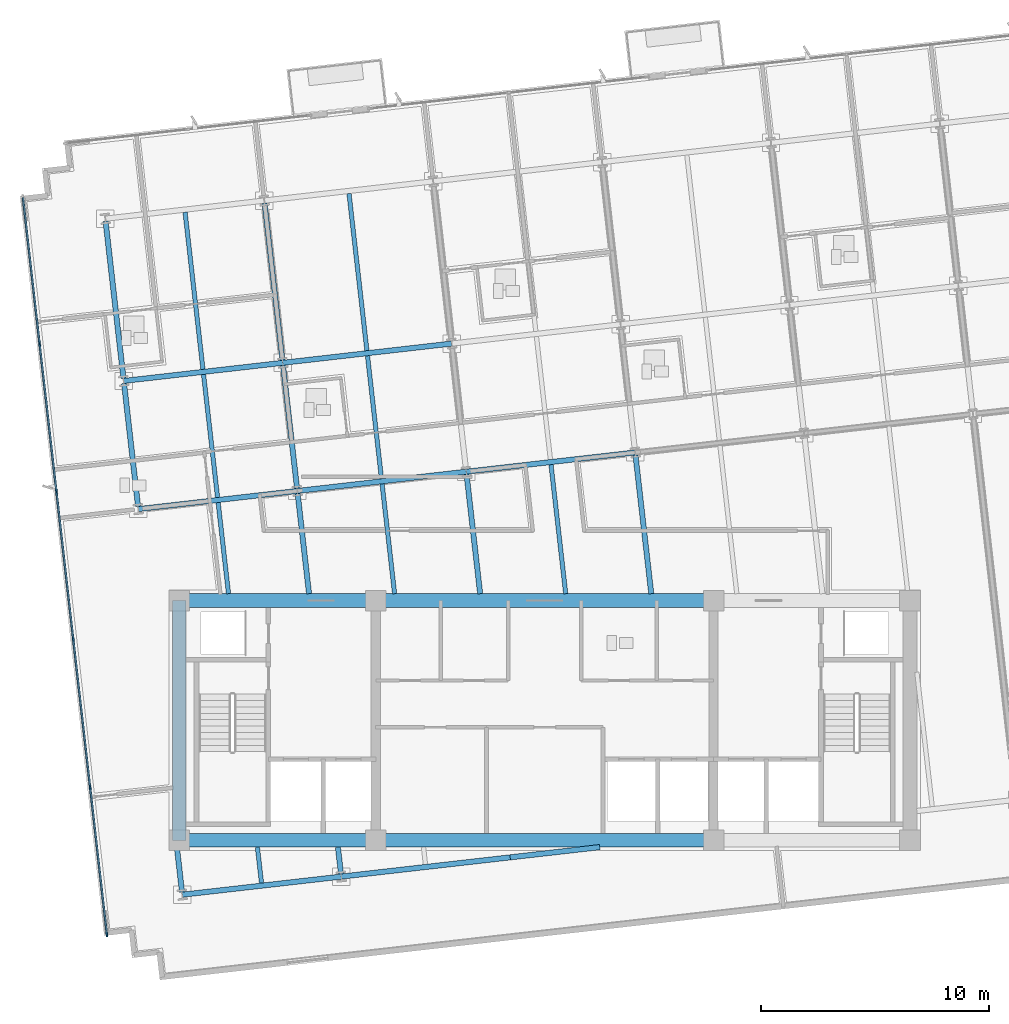
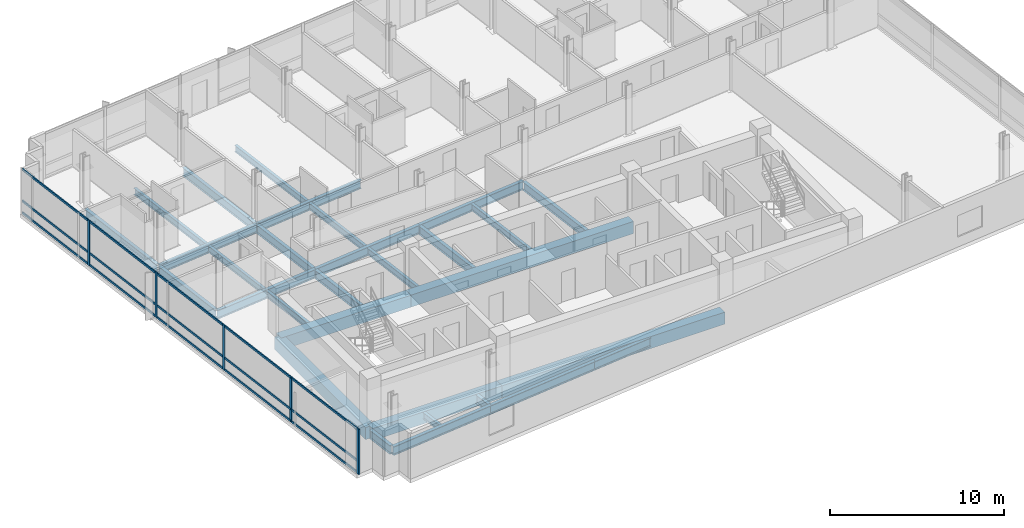
# One storey, part 2 of 17: 30 beams, 20 members, 1 element without a shape of its own.
"""IFC4 building model written with IfcOpenShell, lengths in metres."""

from ifc_helpers import new_model, si_unit, direction, frame, origin, origin_2d, place, context, subcontext, project, spatial, rectangle, i_section, extrude, material, material_profile, profile_set, type_object, element, aggregate, save


model = new_model("IFC4")

# Units and contexts
model_context = context("Model", 3, precision=1e-05, world=origin(), true_north=direction((0.0, 1.0)))
body_context = subcontext(model_context, "Body", "Model", "MODEL_VIEW")
ifc_project = project(units=[si_unit("LENGTHUNIT", "METRE"), si_unit("AREAUNIT", "SQUARE_METRE"), si_unit("VOLUMEUNIT", "CUBIC_METRE"), si_unit("PLANEANGLEUNIT", "RADIAN"), si_unit("MASSUNIT", "GRAM", prefix="KILO")], contexts=[model_context])

# Site, building, storey
site_placement = place(None, origin())
site = spatial("IfcSite", under=ifc_project, at=site_placement, CompositionType="ELEMENT")
building_placement = place(site_placement, origin())
building = spatial("IfcBuilding", under=site, at=building_placement, Name="Solmavex Isthmus Hotel", CompositionType="ELEMENT")
storey_placement = place(building_placement, frame((0.0, 0.0, 195.14990234375)))
storey = spatial("IfcBuildingStorey", under=building, at=storey_placement, Name="L52", CompositionType="ELEMENT", Elevation=195.14990234375)

# Beams
ifc_material_1 = material(Name="Steel ASTM A992 Grade 50", Category="steel")
ifc_material_profile_1 = material_profile(ifc_material_1, i_section(OverallWidth=0.1904296875, OverallDepth=0.456787109375, WebThickness=0.009033203125, FlangeThickness=0.014404296875, FilletRadius=0.0126953125, at=origin_2d()), Name="W18X50")
ifc_profile_set_1 = profile_set([ifc_material_profile_1], Name="Steel ASTM A992 Grade 50")
beam_type_1 = type_object("IfcBeamType", Name="BM-BJ-W18X50", PredefinedType="JOIST", material=ifc_profile_set_1)
beam_1_placement = place(storey_placement, frame((-12.404052734375, -14.872314453125, -0.48828125), z_axis=(-0.113242002738, 0.993567435465, 0.0), x_axis=(-0.993567435465, -0.113242002738, 0.0)))
element("IfcBeam", 1, at=beam_1_placement, inside=storey, type_object=beam_type_1, Name="Secondary Floor Joist L52-J01", PredefinedType="JOIST", context=body_context, shape_type="SweptSolid", body=[
    extrude(i_section(OverallWidth=0.1904296875, OverallDepth=0.456787109375, WebThickness=0.009033203125, FlangeThickness=0.014404296875, FilletRadius=0.0126953125, at=origin_2d()), origin(), (0.0, 0.0, 1.0), 1.58251953125),
])
beam_2_placement = place(storey_placement, frame((-13.847900390625, -2.199951171875, -0.48828125), z_axis=(-0.113179724577, 0.993574531651, 0.0), x_axis=(-0.993574531651, -0.113179724577, 0.0)))
element("IfcBeam", 2, at=beam_2_placement, inside=storey, type_object=beam_type_1, Name="Secondary Floor Joist L52-J02", PredefinedType="JOIST", context=body_context, shape_type="SweptSolid", body=[
    extrude(i_section(OverallWidth=0.1904296875, OverallDepth=0.456787109375, WebThickness=0.009033203125, FlangeThickness=0.014404296875, FilletRadius=0.0126953125, at=origin_2d()), origin(), (0.0, 0.0, 1.0), 4.0166015625),
])
beam_3_placement = place(storey_placement, frame((-14.328369140625, 2.01708984375, -0.48828125), z_axis=(-0.113189626161, 0.993573403695, 0.0), x_axis=(-0.993573403695, -0.113189626161, 0.0)))
element("IfcBeam", 3, at=beam_3_placement, inside=storey, type_object=beam_type_1, Name="Secondary Floor Joist L52-J03", PredefinedType="JOIST", context=body_context, shape_type="SweptSolid", body=[
    extrude(i_section(OverallWidth=0.1904296875, OverallDepth=0.456787109375, WebThickness=0.009033203125, FlangeThickness=0.014404296875, FilletRadius=0.0126953125, at=origin_2d()), origin(), (0.0, 0.0, 1.0), 5.42041015625),
])
beam_4_placement = place(storey_placement, frame((-14.9677734375, 7.62890625, -0.48828125), z_axis=(-0.113202453846, 0.993571942258, 0.0), x_axis=(-0.993571942258, -0.113202453846, 0.0)))
element("IfcBeam", 4, at=beam_4_placement, inside=storey, type_object=beam_type_1, Name="Secondary Floor Joist L52-J04", PredefinedType="JOIST", context=body_context, shape_type="SweptSolid", body=[
    extrude(i_section(OverallWidth=0.1904296875, OverallDepth=0.456787109375, WebThickness=0.009033203125, FlangeThickness=0.014404296875, FilletRadius=0.0126953125, at=origin_2d()), origin(), (0.0, 0.0, 1.0), 6.9228515625),
])
beam_5_placement = place(storey_placement, frame((-6.57421875, -2.199951171875, -0.48828125), z_axis=(-0.113193768539, 0.993572931779, 0.0), x_axis=(-0.993572931779, -0.113193768539, 0.0)))
element("IfcBeam", 5, at=beam_5_placement, inside=storey, type_object=beam_type_1, Name="Secondary Floor Joist L52-J06", PredefinedType="JOIST", context=body_context, shape_type="SweptSolid", body=[
    extrude(i_section(OverallWidth=0.1904296875, OverallDepth=0.456787109375, WebThickness=0.009033203125, FlangeThickness=0.014404296875, FilletRadius=0.0126953125, at=origin_2d()), origin(), (0.0, 0.0, 1.0), 4.83984375),
])
beam_6_placement = place(storey_placement, frame((-7.14794921875, 2.835205078125, -0.48828125), z_axis=(-0.113189626161, 0.993573403695, 0.0), x_axis=(-0.993573403695, -0.113189626161, 0.0)))
element("IfcBeam", 6, at=beam_6_placement, inside=storey, type_object=beam_type_1, Name="Secondary Floor Joist L52-J07", PredefinedType="JOIST", context=body_context, shape_type="SweptSolid", body=[
    extrude(i_section(OverallWidth=0.1904296875, OverallDepth=0.456787109375, WebThickness=0.009033203125, FlangeThickness=0.014404296875, FilletRadius=0.0126953125, at=origin_2d()), origin(), (0.0, 0.0, 1.0), 5.42041015625),
])
beam_7_placement = place(storey_placement, frame((-7.787109375, 8.447021484375, -0.48828125), z_axis=(-0.113202453846, 0.993571942258, 0.0), x_axis=(-0.993571942258, -0.113202453846, 0.0)))
element("IfcBeam", 7, at=beam_7_placement, inside=storey, type_object=beam_type_1, Name="Secondary Floor Joist L52-J08", PredefinedType="JOIST", context=body_context, shape_type="SweptSolid", body=[
    extrude(i_section(OverallWidth=0.1904296875, OverallDepth=0.456787109375, WebThickness=0.009033203125, FlangeThickness=0.014404296875, FilletRadius=0.0126953125, at=origin_2d()), origin(), (0.0, 0.0, 1.0), 6.9228515625),
])
beam_8_placement = place(storey_placement, frame((0.920166015625, -2.199951171875, -0.48828125), z_axis=(-0.113219765873, 0.993569969663, 0.0), x_axis=(-0.993569969663, -0.113219765873, 0.0)))
element("IfcBeam", 8, at=beam_8_placement, inside=storey, type_object=beam_type_1, Name="Secondary Floor Joist L52-J09", PredefinedType="JOIST", context=body_context, shape_type="SweptSolid", body=[
    extrude(i_section(OverallWidth=0.1904296875, OverallDepth=0.456787109375, WebThickness=0.009033203125, FlangeThickness=0.014404296875, FilletRadius=0.0126953125, at=origin_2d()), origin(), (0.0, 0.0, 1.0), 5.6884765625),
])
ifc_material_profile_2 = material_profile(ifc_material_1, i_section(OverallWidth=0.227783203125, OverallDepth=0.602783203125, WebThickness=0.010498046875, FlangeThickness=0.014892578125, FilletRadius=0.01513671875, at=origin_2d()), Name="W24X68")
ifc_profile_set_2 = profile_set([ifc_material_profile_2], Name="Steel ASTM A992 Grade 50")
beam_type_2 = type_object("IfcBeamType", Name="BM-BM-W24X68", PredefinedType="BEAM", material=ifc_profile_set_2)
beam_9_placement = place(storey_placement, frame((-17.796875, 1.50732421875, -0.561279296875), z_axis=(0.993569675103, 0.113222350774, 0.0), x_axis=(-0.113222350774, 0.993569675103, 0.0)))
element("IfcBeam", 9, at=beam_9_placement, inside=storey, type_object=beam_type_2, Name="Floor Girder L52-UG06", PredefinedType="BEAM", context=body_context, shape_type="SweptSolid", body=[
    extrude(i_section(OverallWidth=0.227783203125, OverallDepth=0.602783203125, WebThickness=0.010498046875, FlangeThickness=0.014892578125, FilletRadius=0.01513671875, at=origin_2d()), origin(), (0.0, 0.0, 1.0), 7.008056640625),
])
beam_10_placement = place(storey_placement, frame((-10.833984375, 2.30078125, -0.561279296875), z_axis=(0.993574034044, 0.113184092846, 0.0), x_axis=(-0.113184092846, 0.993574034044, 0.0)))
element("IfcBeam", 10, at=beam_10_placement, inside=storey, type_object=beam_type_2, Name="Floor Girder L52-UG07", PredefinedType="BEAM", context=body_context, shape_type="SweptSolid", body=[
    extrude(i_section(OverallWidth=0.227783203125, OverallDepth=0.602783203125, WebThickness=0.010498046875, FlangeThickness=0.014892578125, FilletRadius=0.01513671875, at=origin_2d()), origin(), (0.0, 0.0, 1.0), 7.446044921875),
])
beam_11_placement = place(storey_placement, frame((-3.435791015625, 3.1435546875, -0.561279296875), z_axis=(0.993569926006, 0.113220148984, 0.0), x_axis=(-0.113220148984, 0.993569926006, 0.0)))
element("IfcBeam", 11, at=beam_11_placement, inside=storey, type_object=beam_type_2, Name="Floor Girder L52-UG08", PredefinedType="BEAM", context=body_context, shape_type="SweptSolid", body=[
    extrude(i_section(OverallWidth=0.227783203125, OverallDepth=0.602783203125, WebThickness=0.010498046875, FlangeThickness=0.014892578125, FilletRadius=0.01513671875, at=origin_2d()), origin(), (0.0, 0.0, 1.0), 7.44580078125),
])
beam_12_placement = place(storey_placement, frame((-18.436279296875, 7.119140625, -0.561279296875), z_axis=(0.99357359356, 0.113187959519, 0.0), x_axis=(-0.113187959519, 0.99357359356, 0.0)))
element("IfcBeam", 12, at=beam_12_placement, inside=storey, type_object=beam_type_2, Name="Floor Girder L52-UG12", PredefinedType="BEAM", context=body_context, shape_type="SweptSolid", body=[
    extrude(i_section(OverallWidth=0.227783203125, OverallDepth=0.602783203125, WebThickness=0.010498046875, FlangeThickness=0.014892578125, FilletRadius=0.01513671875, at=origin_2d()), origin(), (0.0, 0.0, 1.0), 7.0078125),
])
beam_13_placement = place(storey_placement, frame((-11.473388671875, 7.912353515625, -0.561279296875), z_axis=(0.9935703463, 0.113216460607, 0.0), x_axis=(-0.113216460607, 0.9935703463, 0.0)))
element("IfcBeam", 13, at=beam_13_placement, inside=storey, type_object=beam_type_2, Name="Floor Girder L52-UG13", PredefinedType="BEAM", context=body_context, shape_type="SweptSolid", body=[
    extrude(i_section(OverallWidth=0.227783203125, OverallDepth=0.602783203125, WebThickness=0.010498046875, FlangeThickness=0.014892578125, FilletRadius=0.01513671875, at=origin_2d()), origin(), (0.0, 0.0, 1.0), 7.446044921875),
])
beam_14_placement = place(storey_placement, frame((-8.922607421875, -14.4755859375, -0.561279296875), z_axis=(-0.113284703976, 0.993562567655, 0.0), x_axis=(-0.993562567655, -0.113284703976, 0.0)))
element("IfcBeam", 14, at=beam_14_placement, inside=storey, type_object=beam_type_2, Name="Floor Beam L52-VG27", PredefinedType="BEAM", context=body_context, shape_type="SweptSolid", body=[
    extrude(i_section(OverallWidth=0.227783203125, OverallDepth=0.602783203125, WebThickness=0.010498046875, FlangeThickness=0.014892578125, FilletRadius=0.01513671875, at=origin_2d()), origin(), (0.0, 0.0, 1.0), 1.18310546875),
])
beam_15_placement = place(storey_placement, frame((-10.3212890625, -2.199951171875, -0.561279296875), z_axis=(-0.113173914695, 0.993575193447, 0.0), x_axis=(-0.993575193447, -0.113173914695, 0.0)))
element("IfcBeam", 15, at=beam_15_placement, inside=storey, type_object=beam_type_2, Name="Floor Beam L52-VG28", PredefinedType="BEAM", context=body_context, shape_type="SweptSolid", body=[
    extrude(i_section(OverallWidth=0.227783203125, OverallDepth=0.602783203125, WebThickness=0.010498046875, FlangeThickness=0.014892578125, FilletRadius=0.01513671875, at=origin_2d()), origin(), (0.0, 0.0, 1.0), 4.415771484375),
])
beam_16_placement = place(storey_placement, frame((-10.846923828125, 2.413818359375, -0.561279296875), z_axis=(-0.113189626161, 0.993573403695, 0.0), x_axis=(-0.993573403695, -0.113189626161, 0.0)))
element("IfcBeam", 16, at=beam_16_placement, inside=storey, type_object=beam_type_2, Name="Floor Beam L52-VG29", PredefinedType="BEAM", context=body_context, shape_type="SweptSolid", body=[
    extrude(i_section(OverallWidth=0.227783203125, OverallDepth=0.602783203125, WebThickness=0.010498046875, FlangeThickness=0.014892578125, FilletRadius=0.01513671875, at=origin_2d()), origin(), (0.0, 0.0, 1.0), 5.42041015625),
])
beam_17_placement = place(storey_placement, frame((-11.486328125, 8.025634765625, -0.561279296875), z_axis=(-0.113202453846, 0.993571942258, 0.0), x_axis=(-0.993571942258, -0.113202453846, 0.0)))
element("IfcBeam", 17, at=beam_17_placement, inside=storey, type_object=beam_type_2, Name="Floor Beam L52-VG30", PredefinedType="BEAM", context=body_context, shape_type="SweptSolid", body=[
    extrude(i_section(OverallWidth=0.227783203125, OverallDepth=0.602783203125, WebThickness=0.010498046875, FlangeThickness=0.014892578125, FilletRadius=0.01513671875, at=origin_2d()), origin(), (0.0, 0.0, 1.0), 6.9228515625),
])
beam_18_placement = place(storey_placement, frame((-2.8271484375, -2.199951171875, -0.561279296875), z_axis=(-0.113159423971, 0.993576843916, 0.0), x_axis=(-0.993576843916, -0.113159423971, 0.0)))
element("IfcBeam", 18, at=beam_18_placement, inside=storey, type_object=beam_type_2, Name="Floor Beam L52-VG31", PredefinedType="BEAM", context=body_context, shape_type="SweptSolid", body=[
    extrude(i_section(OverallWidth=0.227783203125, OverallDepth=0.602783203125, WebThickness=0.010498046875, FlangeThickness=0.014892578125, FilletRadius=0.01513671875, at=origin_2d()), origin(), (0.0, 0.0, 1.0), 5.26416015625),
])
beam_19_placement = place(storey_placement, frame((4.667236328125, -2.199951171875, -0.561279296875), z_axis=(-0.113232304752, 0.993568540746, 0.0), x_axis=(-0.993568540746, -0.113232304752, 0.0)))
element("IfcBeam", 19, at=beam_19_placement, inside=storey, type_object=beam_type_2, Name="Floor Beam L52-VG34", PredefinedType="BEAM", context=body_context, shape_type="SweptSolid", body=[
    extrude(i_section(OverallWidth=0.227783203125, OverallDepth=0.602783203125, WebThickness=0.010498046875, FlangeThickness=0.014892578125, FilletRadius=0.01513671875, at=origin_2d()), origin(), (0.0, 0.0, 1.0), 6.112548828125),
])
ifc_material_2 = material(Name="Concrete C50/60", Category="concrete")
ifc_material_profile_3 = material_profile(ifc_material_2, rectangle(XDim=0.60009765625, YDim=0.85009765625, at=origin_2d()), Name="RC600X850")
ifc_profile_set_3 = profile_set([ifc_material_profile_3], Name="Concrete C50/60")
beam_type_3 = type_object("IfcBeamType", Name="BM-CB-600X850", PredefinedType="BEAM", material=ifc_profile_set_3)
beam_20_placement = place(storey_placement, frame((-16.0, -13.0, -0.684814453125), z_axis=(1.0, 0.0, 0.0), x_axis=(0.0, 1.0, 0.0)))
element("IfcBeam", 20, at=beam_20_placement, inside=storey, type_object=beam_type_3, Name="Core Coupling Beam L52-CB1", PredefinedType="BEAM", context=body_context, shape_type="SweptSolid", body=[
    extrude(rectangle(XDim=0.60009765625, YDim=0.85009765625, at=origin_2d()), origin(), (0.0, 0.0, 1.0), 8.60009765625),
])
beam_21_placement = place(storey_placement, frame((-7.39990234375, -13.0, -0.684814453125), z_axis=(1.0, 0.0, 0.0), x_axis=(0.0, 1.0, 0.0)))
element("IfcBeam", 21, at=beam_21_placement, inside=storey, type_object=beam_type_3, Name="Core Coupling Beam L52-CB2", PredefinedType="BEAM", context=body_context, shape_type="SweptSolid", body=[
    extrude(rectangle(XDim=0.60009765625, YDim=0.85009765625, at=origin_2d()), origin(), (0.0, 0.0, 1.0), 14.7998046875),
])
beam_22_placement = place(storey_placement, frame((-16.0, -2.5, -0.684814453125), z_axis=(1.0, 0.0, 0.0), x_axis=(0.0, 1.0, 0.0)))
element("IfcBeam", 22, at=beam_22_placement, inside=storey, type_object=beam_type_3, Name="Core Coupling Beam L52-CB4", PredefinedType="BEAM", context=body_context, shape_type="SweptSolid", body=[
    extrude(rectangle(XDim=0.60009765625, YDim=0.85009765625, at=origin_2d()), origin(), (0.0, 0.0, 1.0), 8.60009765625),
])
beam_23_placement = place(storey_placement, frame((-7.39990234375, -2.5, -0.684814453125), z_axis=(1.0, 0.0, 0.0), x_axis=(0.0, 1.0, 0.0)))
element("IfcBeam", 23, at=beam_23_placement, inside=storey, type_object=beam_type_3, Name="Core Coupling Beam L52-CB5", PredefinedType="BEAM", context=body_context, shape_type="SweptSolid", body=[
    extrude(rectangle(XDim=0.60009765625, YDim=0.85009765625, at=origin_2d()), origin(), (0.0, 0.0, 1.0), 14.7998046875),
])
beam_24_placement = place(storey_placement, frame((-16.0, -13.0, -0.684814453125), z_axis=(0.0, 1.0, 0.0), x_axis=(-1.0, 0.0, 0.0)))
element("IfcBeam", 24, at=beam_24_placement, inside=storey, type_object=beam_type_3, Name="Core Coupling Beam L52-CB7", PredefinedType="BEAM", context=body_context, shape_type="SweptSolid", body=[
    extrude(rectangle(XDim=0.60009765625, YDim=0.85009765625, at=origin_2d()), origin(), (0.0, 0.0, 1.0), 10.5),
])
ifc_material_profile_4 = material_profile(ifc_material_1, i_section(OverallWidth=0.230224609375, OverallDepth=0.617431640625, WebThickness=0.01318359375, FlangeThickness=0.022216796875, FilletRadius=0.01513671875, at=origin_2d()), Name="W24X94")
ifc_profile_set_4 = profile_set([ifc_material_profile_4], Name="Steel ASTM A992 Grade 50")
beam_type_4 = type_object("IfcBeamType", Name="BM-SP-W24X94", PredefinedType="SPANDREL", material=ifc_profile_set_4)
beam_25_placement = place(storey_placement, frame((-15.87255859375, -15.38330078125, -0.568603515625), z_axis=(0.993574039862, 0.113184041777, 0.0), x_axis=(-0.113184041777, 0.993574039862, 0.0)))
element("IfcBeam", 25, at=beam_25_placement, inside=storey, type_object=beam_type_4, Name="Floor Girder L52-UG01", PredefinedType="SPANDREL", context=body_context, shape_type="SweptSolid", body=[
    extrude(i_section(OverallWidth=0.230224609375, OverallDepth=0.617431640625, WebThickness=0.01318359375, FlangeThickness=0.022216796875, FilletRadius=0.01513671875, at=origin_2d()), origin(), (0.0, 0.0, 1.0), 7.008056640625),
])
beam_26_placement = place(storey_placement, frame((-8.909423828125, -14.590087890625, -0.568603515625), z_axis=(0.993569926006, 0.113220148984, 0.0), x_axis=(-0.113220148984, 0.993569926006, 0.0)))
element("IfcBeam", 26, at=beam_26_placement, inside=storey, type_object=beam_type_4, Name="Floor Girder L52-UG02", PredefinedType="SPANDREL", context=body_context, shape_type="SweptSolid", body=[
    extrude(i_section(OverallWidth=0.230224609375, OverallDepth=0.617431640625, WebThickness=0.01318359375, FlangeThickness=0.022216796875, FilletRadius=0.01513671875, at=origin_2d()), origin(), (0.0, 0.0, 1.0), 7.44580078125),
])
beam_27_placement = place(storey_placement, frame((-1.511474609375, -13.7470703125, -0.568603515625), z_axis=(0.993575434773, 0.113171796023, 0.0), x_axis=(-0.113171796023, 0.993575434773, 0.0)))
element("IfcBeam", 27, at=beam_27_placement, inside=storey, type_object=beam_type_4, Name="Floor Girder L52-UG03", PredefinedType="SPANDREL", context=body_context, shape_type="SweptSolid", body=[
    extrude(i_section(OverallWidth=0.230224609375, OverallDepth=0.617431640625, WebThickness=0.01318359375, FlangeThickness=0.022216796875, FilletRadius=0.01513671875, at=origin_2d()), origin(), (0.0, 0.0, 1.0), 3.949951171875),
])
beam_28_placement = place(storey_placement, frame((-15.885498046875, -15.268798828125, -0.568603515625), z_axis=(-0.113230368519, 0.993568761408, 0.0), x_axis=(-0.993568761408, -0.113230368519, 0.0)))
element("IfcBeam", 28, at=beam_28_placement, inside=storey, type_object=beam_type_4, Name="Floor Beam L52-VG24", PredefinedType="SPANDREL", context=body_context, shape_type="SweptSolid", body=[
    extrude(i_section(OverallWidth=0.230224609375, OverallDepth=0.617431640625, WebThickness=0.01318359375, FlangeThickness=0.022216796875, FilletRadius=0.01513671875, at=origin_2d()), origin(), (0.0, 0.0, 1.0), 1.9814453125),
])
beam_29_placement = place(storey_placement, frame((-17.809814453125, 1.62060546875, -0.568603515625), z_axis=(-0.113194691868, 0.993572826587, 0.0), x_axis=(-0.993572826587, -0.113194691868, 0.0)))
element("IfcBeam", 29, at=beam_29_placement, inside=storey, type_object=beam_type_4, Name="Floor Beam L52-VG25", PredefinedType="SPANDREL", context=body_context, shape_type="SweptSolid", body=[
    extrude(i_section(OverallWidth=0.230224609375, OverallDepth=0.617431640625, WebThickness=0.01318359375, FlangeThickness=0.022216796875, FilletRadius=0.01513671875, at=origin_2d()), origin(), (0.0, 0.0, 1.0), 5.420166015625),
])
beam_30_placement = place(storey_placement, frame((-18.44921875, 7.232177734375, -0.568603515625), z_axis=(-0.113202453846, 0.993571942258, 0.0), x_axis=(-0.993571942258, -0.113202453846, 0.0)))
element("IfcBeam", 30, at=beam_30_placement, inside=storey, type_object=beam_type_4, Name="Floor Beam L52-VG26", PredefinedType="SPANDREL", context=body_context, shape_type="SweptSolid", body=[
    extrude(i_section(OverallWidth=0.230224609375, OverallDepth=0.617431640625, WebThickness=0.01318359375, FlangeThickness=0.022216796875, FilletRadius=0.01513671875, at=origin_2d()), origin(), (0.0, 0.0, 1.0), 6.9228515625),
])

# Curtain wall, members
ifc_material_3 = material(Name="Aluminium alloy 6063-T6", Category="aluminium")
curtain_wall_type = type_object("IfcCurtainWallType", Name="CW-SYS-04", PredefinedType="NOTDEFINED", material=ifc_material_3)
curtain_wall_placement = place(storey_placement, origin())
curtain_wall = element("IfcCurtainWall", 31, at=curtain_wall_placement, inside=storey, type_object=curtain_wall_type, Name="Stick Curtain Wall CWL-L52-W1", PredefinedType="NOTDEFINED")
ifc_material_profile_5 = material_profile(ifc_material_3, rectangle(XDim=0.074951171875, YDim=0.199951171875, at=origin_2d()), Name="CWM-75X200")
ifc_profile_set_5 = profile_set([ifc_material_profile_5], Name="Aluminium alloy 6063-T6")
member_type_1 = type_object("IfcMemberType", Name="CW-SYS-04-MUL", PredefinedType="MULLION", material=ifc_profile_set_5)
member_1_placement = place(storey_placement, frame((-19.17578125, -17.131103515625, 0.0), z_axis=(0.0, 0.0, 1.0), x_axis=(-0.993571836648, -0.11320338078, 0.0)))
member_1 = element("IfcMember", 32, at=member_1_placement, type_object=member_type_1, Name="CW-04 mullion 1", PredefinedType="MULLION", context=body_context, shape_type="SweptSolid", body=[
    extrude(rectangle(XDim=0.074951171875, YDim=0.199951171875, at=origin_2d()), origin(), (0.0, 0.0, 1.0), 3.190185546875),
])
member_2_placement = place(storey_placement, frame((-19.90966796875, -10.690185546875, 0.0), z_axis=(0.0, 0.0, 1.0), x_axis=(-0.993571836648, -0.11320338078, 0.0)))
member_2 = element("IfcMember", 33, at=member_2_placement, type_object=member_type_1, Name="CW-04 mullion 2", PredefinedType="MULLION", context=body_context, shape_type="SweptSolid", body=[
    extrude(rectangle(XDim=0.074951171875, YDim=0.199951171875, at=origin_2d()), origin(), (0.0, 0.0, 1.0), 3.190185546875),
])
member_3_placement = place(storey_placement, frame((-20.647705078125, -4.212158203125, 0.0), z_axis=(0.0, 0.0, 1.0), x_axis=(-0.993571836648, -0.11320338078, 0.0)))
member_3 = element("IfcMember", 34, at=member_3_placement, type_object=member_type_1, Name="CW-04 mullion 3", PredefinedType="MULLION", context=body_context, shape_type="SweptSolid", body=[
    extrude(rectangle(XDim=0.074951171875, YDim=0.199951171875, at=origin_2d()), origin(), (0.0, 0.0, 1.0), 3.190185546875),
])
member_4_placement = place(storey_placement, frame((-21.385986328125, 2.265869140625, 0.0), z_axis=(0.0, 0.0, 1.0), x_axis=(-0.993571836648, -0.11320338078, 0.0)))
member_4 = element("IfcMember", 35, at=member_4_placement, type_object=member_type_1, Name="CW-04 mullion 4", PredefinedType="MULLION", context=body_context, shape_type="SweptSolid", body=[
    extrude(rectangle(XDim=0.074951171875, YDim=0.199951171875, at=origin_2d()), origin(), (0.0, 0.0, 1.0), 3.190185546875),
])
member_5_placement = place(storey_placement, frame((-22.1240234375, 8.744140625, 0.0), z_axis=(0.0, 0.0, 1.0), x_axis=(-0.993571836648, -0.11320338078, 0.0)))
member_5 = element("IfcMember", 36, at=member_5_placement, type_object=member_type_1, Name="CW-04 mullion 5", PredefinedType="MULLION", context=body_context, shape_type="SweptSolid", body=[
    extrude(rectangle(XDim=0.074951171875, YDim=0.199951171875, at=origin_2d()), origin(), (0.0, 0.0, 1.0), 3.190185546875),
])
ifc_material_profile_6 = material_profile(ifc_material_3, rectangle(XDim=0.074951171875, YDim=0.14990234375, at=origin_2d()), Name="CWT-75X150")
ifc_profile_set_6 = profile_set([ifc_material_profile_6], Name="Aluminium alloy 6063-T6")
member_type_2 = type_object("IfcMemberType", Name="CW-SYS-04-TRN", PredefinedType="USERDEFINED", material=ifc_profile_set_6)
member_6_placement = place(storey_placement, frame((-19.18017578125, -17.09375, 0.0751953125), z_axis=(-0.113203780919, 0.993571791058, 0.0), x_axis=(-0.993571791058, -0.113203780919, 0.0)))
member_6 = element("IfcMember", 37, at=member_6_placement, type_object=member_type_2, Name="CW-04 transom 1.1", ObjectType="TRANSOM", PredefinedType="USERDEFINED", context=body_context, shape_type="SweptSolid", body=[
    extrude(rectangle(XDim=0.074951171875, YDim=0.14990234375, at=origin_2d()), origin(), (0.0, 0.0, 1.0), 6.407470703125),
])
member_7_placement = place(storey_placement, frame((-19.18017578125, -17.09375, 0.900146484375), z_axis=(-0.113203780919, 0.993571791058, 0.0), x_axis=(-0.993571791058, -0.113203780919, 0.0)))
member_7 = element("IfcMember", 38, at=member_7_placement, type_object=member_type_2, Name="CW-04 transom 1.2", ObjectType="TRANSOM", PredefinedType="USERDEFINED", context=body_context, shape_type="SweptSolid", body=[
    extrude(rectangle(XDim=0.074951171875, YDim=0.14990234375, at=origin_2d()), origin(), (0.0, 0.0, 1.0), 6.407470703125),
])
member_8_placement = place(storey_placement, frame((-19.18017578125, -17.09375, 3.114990234375), z_axis=(-0.113203780919, 0.993571791058, 0.0), x_axis=(-0.993571791058, -0.113203780919, 0.0)))
member_8 = element("IfcMember", 39, at=member_8_placement, type_object=member_type_2, Name="CW-04 transom 1.3", ObjectType="TRANSOM", PredefinedType="USERDEFINED", context=body_context, shape_type="SweptSolid", body=[
    extrude(rectangle(XDim=0.074951171875, YDim=0.14990234375, at=origin_2d()), origin(), (0.0, 0.0, 1.0), 6.407470703125),
])
member_9_placement = place(storey_placement, frame((-19.9140625, -10.653076171875, 0.0751953125), z_axis=(-0.113187617296, 0.993573632546, 0.0), x_axis=(-0.993573632546, -0.113187617296, 0.0)))
member_9 = element("IfcMember", 40, at=member_9_placement, type_object=member_type_2, Name="CW-04 transom 2.1", ObjectType="TRANSOM", PredefinedType="USERDEFINED", context=body_context, shape_type="SweptSolid", body=[
    extrude(rectangle(XDim=0.074951171875, YDim=0.14990234375, at=origin_2d()), origin(), (0.0, 0.0, 1.0), 6.445068359375),
])
member_10_placement = place(storey_placement, frame((-19.9140625, -10.653076171875, 0.900146484375), z_axis=(-0.113187617296, 0.993573632546, 0.0), x_axis=(-0.993573632546, -0.113187617296, 0.0)))
member_10 = element("IfcMember", 41, at=member_10_placement, type_object=member_type_2, Name="CW-04 transom 2.2", ObjectType="TRANSOM", PredefinedType="USERDEFINED", context=body_context, shape_type="SweptSolid", body=[
    extrude(rectangle(XDim=0.074951171875, YDim=0.14990234375, at=origin_2d()), origin(), (0.0, 0.0, 1.0), 6.445068359375),
])
member_11_placement = place(storey_placement, frame((-19.9140625, -10.653076171875, 3.114990234375), z_axis=(-0.113187617296, 0.993573632546, 0.0), x_axis=(-0.993573632546, -0.113187617296, 0.0)))
member_11 = element("IfcMember", 42, at=member_11_placement, type_object=member_type_2, Name="CW-04 transom 2.3", ObjectType="TRANSOM", PredefinedType="USERDEFINED", context=body_context, shape_type="SweptSolid", body=[
    extrude(rectangle(XDim=0.074951171875, YDim=0.14990234375, at=origin_2d()), origin(), (0.0, 0.0, 1.0), 6.445068359375),
])
member_12_placement = place(storey_placement, frame((-20.652099609375, -4.1748046875, 0.0751953125), z_axis=(-0.113187617296, 0.993573632546, 0.0), x_axis=(-0.993573632546, -0.113187617296, 0.0)))
member_12 = element("IfcMember", 43, at=member_12_placement, type_object=member_type_2, Name="CW-04 transom 3.1", ObjectType="TRANSOM", PredefinedType="USERDEFINED", context=body_context, shape_type="SweptSolid", body=[
    extrude(rectangle(XDim=0.074951171875, YDim=0.14990234375, at=origin_2d()), origin(), (0.0, 0.0, 1.0), 6.445068359375),
])
member_13_placement = place(storey_placement, frame((-20.652099609375, -4.1748046875, 0.900146484375), z_axis=(-0.113187617296, 0.993573632546, 0.0), x_axis=(-0.993573632546, -0.113187617296, 0.0)))
member_13 = element("IfcMember", 44, at=member_13_placement, type_object=member_type_2, Name="CW-04 transom 3.2", ObjectType="TRANSOM", PredefinedType="USERDEFINED", context=body_context, shape_type="SweptSolid", body=[
    extrude(rectangle(XDim=0.074951171875, YDim=0.14990234375, at=origin_2d()), origin(), (0.0, 0.0, 1.0), 6.445068359375),
])
member_14_placement = place(storey_placement, frame((-20.652099609375, -4.1748046875, 3.114990234375), z_axis=(-0.113187617296, 0.993573632546, 0.0), x_axis=(-0.993573632546, -0.113187617296, 0.0)))
member_14 = element("IfcMember", 45, at=member_14_placement, type_object=member_type_2, Name="CW-04 transom 3.3", ObjectType="TRANSOM", PredefinedType="USERDEFINED", context=body_context, shape_type="SweptSolid", body=[
    extrude(rectangle(XDim=0.074951171875, YDim=0.14990234375, at=origin_2d()), origin(), (0.0, 0.0, 1.0), 6.445068359375),
])
member_15_placement = place(storey_placement, frame((-21.39013671875, 2.30322265625, 0.0751953125), z_axis=(-0.113187617296, 0.993573632546, 0.0), x_axis=(-0.993573632546, -0.113187617296, 0.0)))
member_15 = element("IfcMember", 46, at=member_15_placement, type_object=member_type_2, Name="CW-04 transom 4.1", ObjectType="TRANSOM", PredefinedType="USERDEFINED", context=body_context, shape_type="SweptSolid", body=[
    extrude(rectangle(XDim=0.074951171875, YDim=0.14990234375, at=origin_2d()), origin(), (0.0, 0.0, 1.0), 6.445068359375),
])
member_16_placement = place(storey_placement, frame((-21.39013671875, 2.30322265625, 0.900146484375), z_axis=(-0.113187617296, 0.993573632546, 0.0), x_axis=(-0.993573632546, -0.113187617296, 0.0)))
member_16 = element("IfcMember", 47, at=member_16_placement, type_object=member_type_2, Name="CW-04 transom 4.2", ObjectType="TRANSOM", PredefinedType="USERDEFINED", context=body_context, shape_type="SweptSolid", body=[
    extrude(rectangle(XDim=0.074951171875, YDim=0.14990234375, at=origin_2d()), origin(), (0.0, 0.0, 1.0), 6.445068359375),
])
member_17_placement = place(storey_placement, frame((-21.39013671875, 2.30322265625, 3.114990234375), z_axis=(-0.113187617296, 0.993573632546, 0.0), x_axis=(-0.993573632546, -0.113187617296, 0.0)))
member_17 = element("IfcMember", 48, at=member_17_placement, type_object=member_type_2, Name="CW-04 transom 4.3", ObjectType="TRANSOM", PredefinedType="USERDEFINED", context=body_context, shape_type="SweptSolid", body=[
    extrude(rectangle(XDim=0.074951171875, YDim=0.14990234375, at=origin_2d()), origin(), (0.0, 0.0, 1.0), 6.445068359375),
])
member_18_placement = place(storey_placement, frame((-22.128173828125, 8.78125, 0.0751953125), z_axis=(-0.113199495412, 0.993572279323, 0.0), x_axis=(-0.993572279323, -0.113199495412, 0.0)))
member_18 = element("IfcMember", 49, at=member_18_placement, type_object=member_type_2, Name="CW-04 transom 5.1", ObjectType="TRANSOM", PredefinedType="USERDEFINED", context=body_context, shape_type="SweptSolid", body=[
    extrude(rectangle(XDim=0.074951171875, YDim=0.14990234375, at=origin_2d()), origin(), (0.0, 0.0, 1.0), 6.40771484375),
])
member_19_placement = place(storey_placement, frame((-22.128173828125, 8.78125, 0.900146484375), z_axis=(-0.113199495412, 0.993572279323, 0.0), x_axis=(-0.993572279323, -0.113199495412, 0.0)))
member_19 = element("IfcMember", 50, at=member_19_placement, type_object=member_type_2, Name="CW-04 transom 5.2", ObjectType="TRANSOM", PredefinedType="USERDEFINED", context=body_context, shape_type="SweptSolid", body=[
    extrude(rectangle(XDim=0.074951171875, YDim=0.14990234375, at=origin_2d()), origin(), (0.0, 0.0, 1.0), 6.40771484375),
])
member_20_placement = place(storey_placement, frame((-22.128173828125, 8.78125, 3.114990234375), z_axis=(-0.113199495412, 0.993572279323, 0.0), x_axis=(-0.993572279323, -0.113199495412, 0.0)))
member_20 = element("IfcMember", 51, at=member_20_placement, type_object=member_type_2, Name="CW-04 transom 5.3", ObjectType="TRANSOM", PredefinedType="USERDEFINED", context=body_context, shape_type="SweptSolid", body=[
    extrude(rectangle(XDim=0.074951171875, YDim=0.14990234375, at=origin_2d()), origin(), (0.0, 0.0, 1.0), 6.40771484375),
])
aggregate(curtain_wall, [member_1, member_2, member_3, member_4, member_5, member_6, member_7, member_8, member_9, member_10, member_11, member_12, member_13, member_14, member_15, member_16, member_17, member_18, member_19, member_20])

save(model, "model.ifc")
